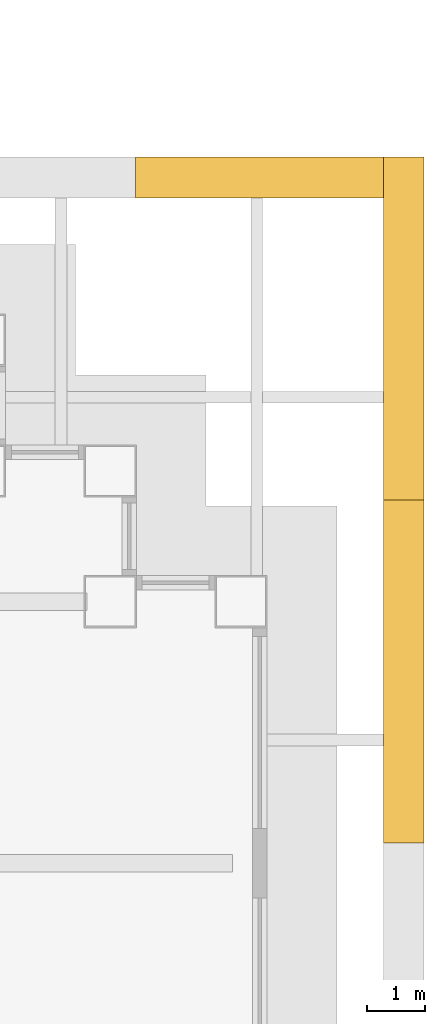
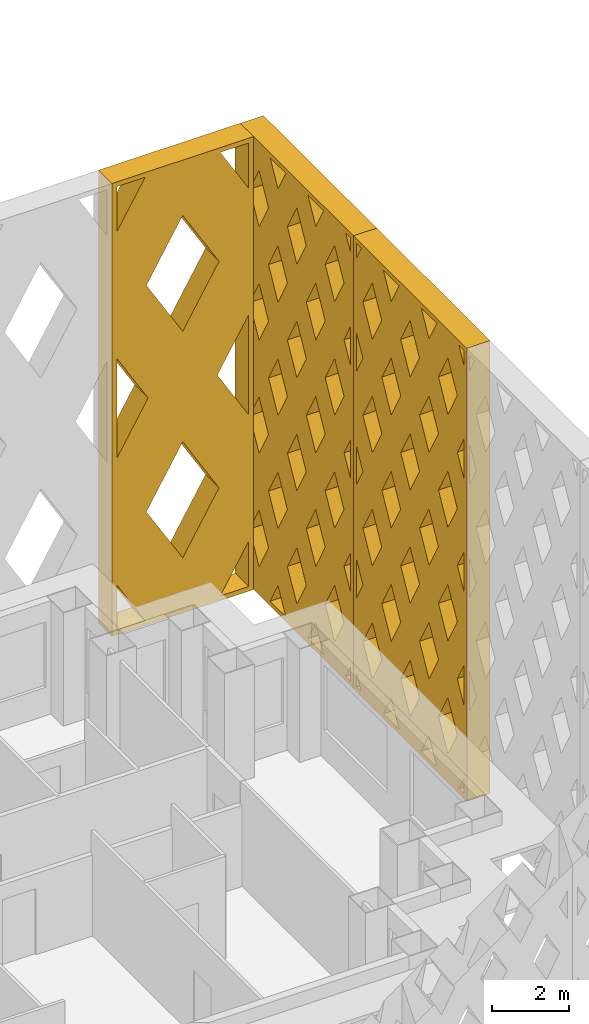
# One storey, part 21 of 21: 3 shading devices.
"""IFC4 building model written with IfcOpenShell, lengths in metres."""

from ifc_helpers import new_model, si_unit, direction, frame, origin, place, context, subcontext, project, spatial, polyline, outline, extrude, material, type_object, element, save


model = new_model("IFC4")

# Units and contexts
model_context = context("Model", 3, precision=1e-05, world=origin(), true_north=direction((0.0, 1.0)))
body_context = subcontext(model_context, "Body", "Model", "MODEL_VIEW")
ifc_project = project(units=[si_unit("LENGTHUNIT", "METRE"), si_unit("AREAUNIT", "SQUARE_METRE"), si_unit("VOLUMEUNIT", "CUBIC_METRE"), si_unit("PLANEANGLEUNIT", "RADIAN"), si_unit("MASSUNIT", "GRAM", prefix="KILO")], contexts=[model_context])

# Site, building, storey
site_placement = place(None, origin())
site = spatial("IfcSite", under=ifc_project, at=site_placement, CompositionType="ELEMENT")
building_placement = place(site_placement, origin())
building = spatial("IfcBuilding", under=site, at=building_placement, Name="Caravel Reach Hotel and Residences", CompositionType="ELEMENT")
storey_placement = place(building_placement, frame((0.0, 0.0, 100.800048828125)))
storey = spatial("IfcBuildingStorey", under=building, at=storey_placement, Name="L24", CompositionType="ELEMENT", Elevation=100.800048828125)

# Shading devices
ifc_material_1 = material(Name="Black powder-coated aluminium", Category="aluminium")
shading_device_type_1 = type_object("IfcShadingDeviceType", Name="Diamond lattice screen panel 4267 x 14400", PredefinedType="USERDEFINED", material=ifc_material_1)
shading_device_1_placement = place(storey_placement, frame((65.449951171875, 38.449951171875, 0.0), z_axis=(0.0, 1.0, 0.0), x_axis=(-1.0, 0.0, 0.0)))
element("IfcShadingDevice", 1, at=shading_device_1_placement, inside=storey, type_object=shading_device_type_1, Name="Lattice screen L24-L27 8.1", ObjectType="SCREEN", PredefinedType="USERDEFINED", context=body_context, shape_type="SweptSolid", body=[
    extrude(outline(polyline([(0.0, 0.0), (4.2666015625, 0.0), (4.2666015625, 14.39990234375), (0.0, 14.39990234375), (0.0, 0.0)]), holes=[polyline([(1.003662109375, 0.14990234375), (0.14990234375, 1.590576171875), (0.14990234375, 0.14990234375), (1.003662109375, 0.14990234375)]), polyline([(1.092529296875, 7.199951171875), (0.14990234375, 8.790771484375), (0.14990234375, 5.609375), (1.092529296875, 7.199951171875)]), polyline([(0.14990234375, 12.809326171875), (1.003662109375, 14.25), (0.14990234375, 14.25), (0.14990234375, 12.809326171875)]), polyline([(2.13330078125, 5.44384765625), (1.040771484375, 3.60009765625), (2.13330078125, 1.756103515625), (3.225830078125, 3.60009765625), (2.13330078125, 5.44384765625)]), polyline([(2.13330078125, 12.643798828125), (1.040771484375, 10.800048828125), (2.13330078125, 8.956298828125), (3.225830078125, 10.800048828125), (2.13330078125, 12.643798828125)]), polyline([(4.11669921875, 1.590576171875), (3.262939453125, 0.14990234375), (4.11669921875, 0.14990234375), (4.11669921875, 1.590576171875)]), polyline([(3.174072265625, 7.199951171875), (4.11669921875, 5.609375), (4.11669921875, 8.790771484375), (3.174072265625, 7.199951171875)]), polyline([(3.262939453125, 14.25), (4.11669921875, 12.809326171875), (4.11669921875, 14.25), (3.262939453125, 14.25)])]), origin(), (0.0, 0.0, 1.0), 0.699951171875),
])
ifc_material_2 = material(Name="Black powder-coated aluminium", Category="aluminium")
shading_device_type_2 = type_object("IfcShadingDeviceType", Name="Diamond lattice screen panel 5900 x 14400", PredefinedType="USERDEFINED", material=ifc_material_2)
shading_device_2_placement = place(storey_placement, frame((65.449951171875, 27.35009765625, 0.0), z_axis=(1.0, 0.0, 0.0), x_axis=(0.0, 1.0, 0.0)))
element("IfcShadingDevice", 2, at=shading_device_2_placement, inside=storey, type_object=shading_device_type_2, Name="Lattice screen L24-L27 7.3", ObjectType="SCREEN", PredefinedType="USERDEFINED", context=body_context, shape_type="SweptSolid", body=[
    extrude(outline(polyline([(0.0, 0.0), (5.89990234375, 0.0), (5.89990234375, 14.39990234375), (0.0, 14.39990234375), (0.0, 0.0)]), holes=[polyline([(0.40966796875, 0.14990234375), (0.14990234375, 0.62548828125), (0.14990234375, 0.14990234375), (0.40966796875, 0.14990234375)]), polyline([(0.49169921875, 3.60009765625), (0.14990234375, 4.2255859375), (0.14990234375, 2.974609375), (0.49169921875, 3.60009765625)]), polyline([(0.49169921875, 7.199951171875), (0.14990234375, 7.825439453125), (0.14990234375, 6.574462890625), (0.49169921875, 7.199951171875)]), polyline([(0.49169921875, 10.800048828125), (0.14990234375, 11.425537109375), (0.14990234375, 10.174560546875), (0.49169921875, 10.800048828125)]), polyline([(0.14990234375, 13.7744140625), (0.40966796875, 14.25), (0.14990234375, 14.25), (0.14990234375, 13.7744140625)]), polyline([(0.9833984375, 2.699951171875), (0.49169921875, 1.800048828125), (0.9833984375, 0.89990234375), (1.47509765625, 1.800048828125), (0.9833984375, 2.699951171875)]), polyline([(0.9833984375, 6.300048828125), (0.49169921875, 5.39990234375), (0.9833984375, 4.5), (1.47509765625, 5.39990234375), (0.9833984375, 6.300048828125)]), polyline([(0.9833984375, 9.900146484375), (0.49169921875, 9.0), (0.9833984375, 8.099853515625), (1.47509765625, 9.0), (0.9833984375, 9.900146484375)]), polyline([(0.9833984375, 13.5), (0.49169921875, 12.60009765625), (0.9833984375, 11.699951171875), (1.47509765625, 12.60009765625), (0.9833984375, 13.5)]), polyline([(1.966552734375, 0.900146484375), (1.556884765625, 0.14990234375), (2.37646484375, 0.14990234375), (1.966552734375, 0.900146484375)]), polyline([(1.966552734375, 4.5), (1.474853515625, 3.60009765625), (1.966552734375, 2.699951171875), (2.458251953125, 3.60009765625), (1.966552734375, 4.5)]), polyline([(1.966552734375, 8.10009765625), (1.474853515625, 7.199951171875), (1.966552734375, 6.300048828125), (2.458251953125, 7.199951171875), (1.966552734375, 8.10009765625)]), polyline([(1.966552734375, 11.699951171875), (1.474853515625, 10.800048828125), (1.966552734375, 9.89990234375), (2.458251953125, 10.800048828125), (1.966552734375, 11.699951171875)]), polyline([(1.966552734375, 13.5), (2.37646484375, 14.25), (1.556884765625, 14.25), (1.966552734375, 13.5)]), polyline([(2.949951171875, 2.699951171875), (2.458251953125, 1.800048828125), (2.949951171875, 0.89990234375), (3.441650390625, 1.800048828125), (2.949951171875, 2.699951171875)]), polyline([(2.949951171875, 6.300048828125), (2.458251953125, 5.39990234375), (2.949951171875, 4.5), (3.441650390625, 5.39990234375), (2.949951171875, 6.300048828125)]), polyline([(2.949951171875, 9.900146484375), (2.458251953125, 9.0), (2.949951171875, 8.099853515625), (3.441650390625, 9.0), (2.949951171875, 9.900146484375)]), polyline([(2.949951171875, 13.5), (2.458251953125, 12.60009765625), (2.949951171875, 11.699951171875), (3.441650390625, 12.60009765625), (2.949951171875, 13.5)]), polyline([(3.933349609375, 0.900146484375), (3.523681640625, 0.14990234375), (4.343017578125, 0.14990234375), (3.933349609375, 0.900146484375)]), polyline([(3.933349609375, 4.5), (3.441650390625, 3.60009765625), (3.933349609375, 2.699951171875), (4.425048828125, 3.60009765625), (3.933349609375, 4.5)]), polyline([(3.933349609375, 8.10009765625), (3.441650390625, 7.199951171875), (3.933349609375, 6.300048828125), (4.425048828125, 7.199951171875), (3.933349609375, 8.10009765625)]), polyline([(3.933349609375, 11.699951171875), (3.441650390625, 10.800048828125), (3.933349609375, 9.89990234375), (4.425048828125, 10.800048828125), (3.933349609375, 11.699951171875)]), polyline([(3.933349609375, 13.5), (4.343017578125, 14.25), (3.523681640625, 14.25), (3.933349609375, 13.5)]), polyline([(4.916748046875, 2.699951171875), (4.425048828125, 1.800048828125), (4.916748046875, 0.89990234375), (5.408447265625, 1.800048828125), (4.916748046875, 2.699951171875)]), polyline([(4.916748046875, 6.300048828125), (4.425048828125, 5.39990234375), (4.916748046875, 4.5), (5.408447265625, 5.39990234375), (4.916748046875, 6.300048828125)]), polyline([(4.916748046875, 9.900146484375), (4.425048828125, 9.0), (4.916748046875, 8.099853515625), (5.408447265625, 9.0), (4.916748046875, 9.900146484375)]), polyline([(4.916748046875, 13.5), (4.425048828125, 12.60009765625), (4.916748046875, 11.699951171875), (5.408447265625, 12.60009765625), (4.916748046875, 13.5)]), polyline([(5.75, 0.62548828125), (5.490234375, 0.14990234375), (5.75, 0.14990234375), (5.75, 0.62548828125)]), polyline([(5.408203125, 3.60009765625), (5.75, 2.974609375), (5.75, 4.2255859375), (5.408203125, 3.60009765625)]), polyline([(5.408203125, 7.199951171875), (5.75, 6.574462890625), (5.75, 7.825439453125), (5.408203125, 7.199951171875)]), polyline([(5.408203125, 10.800048828125), (5.75, 10.174560546875), (5.75, 11.425537109375), (5.408203125, 10.800048828125)]), polyline([(5.490234375, 14.25), (5.75, 13.7744140625), (5.75, 14.25), (5.490234375, 14.25)])]), origin(), (0.0, 0.0, 1.0), 0.699951171875),
])
shading_device_3_placement = place(storey_placement, frame((65.449951171875, 33.25, 0.0), z_axis=(1.0, 0.0, 0.0), x_axis=(0.0, 1.0, 0.0)))
element("IfcShadingDevice", 3, at=shading_device_3_placement, inside=storey, type_object=shading_device_type_2, Name="Lattice screen L24-L27 7.4", ObjectType="SCREEN", PredefinedType="USERDEFINED", context=body_context, shape_type="SweptSolid", body=[
    extrude(outline(polyline([(0.0, 0.0), (5.89990234375, 0.0), (5.89990234375, 14.39990234375), (0.0, 14.39990234375), (0.0, 0.0)]), holes=[polyline([(0.40966796875, 0.14990234375), (0.14990234375, 0.62548828125), (0.14990234375, 0.14990234375), (0.40966796875, 0.14990234375)]), polyline([(0.49169921875, 3.60009765625), (0.14990234375, 4.2255859375), (0.14990234375, 2.974609375), (0.49169921875, 3.60009765625)]), polyline([(0.49169921875, 7.199951171875), (0.14990234375, 7.825439453125), (0.14990234375, 6.574462890625), (0.49169921875, 7.199951171875)]), polyline([(0.49169921875, 10.800048828125), (0.14990234375, 11.425537109375), (0.14990234375, 10.174560546875), (0.49169921875, 10.800048828125)]), polyline([(0.14990234375, 13.7744140625), (0.40966796875, 14.25), (0.14990234375, 14.25), (0.14990234375, 13.7744140625)]), polyline([(0.9833984375, 2.699951171875), (0.49169921875, 1.800048828125), (0.9833984375, 0.89990234375), (1.47509765625, 1.800048828125), (0.9833984375, 2.699951171875)]), polyline([(0.9833984375, 6.300048828125), (0.49169921875, 5.39990234375), (0.9833984375, 4.5), (1.47509765625, 5.39990234375), (0.9833984375, 6.300048828125)]), polyline([(0.9833984375, 9.900146484375), (0.49169921875, 9.0), (0.9833984375, 8.099853515625), (1.47509765625, 9.0), (0.9833984375, 9.900146484375)]), polyline([(0.9833984375, 13.5), (0.49169921875, 12.60009765625), (0.9833984375, 11.699951171875), (1.47509765625, 12.60009765625), (0.9833984375, 13.5)]), polyline([(1.966552734375, 0.900146484375), (1.556884765625, 0.14990234375), (2.37646484375, 0.14990234375), (1.966552734375, 0.900146484375)]), polyline([(1.966552734375, 4.5), (1.474853515625, 3.60009765625), (1.966552734375, 2.699951171875), (2.458251953125, 3.60009765625), (1.966552734375, 4.5)]), polyline([(1.966552734375, 8.10009765625), (1.474853515625, 7.199951171875), (1.966552734375, 6.300048828125), (2.458251953125, 7.199951171875), (1.966552734375, 8.10009765625)]), polyline([(1.966552734375, 11.699951171875), (1.474853515625, 10.800048828125), (1.966552734375, 9.89990234375), (2.458251953125, 10.800048828125), (1.966552734375, 11.699951171875)]), polyline([(1.966552734375, 13.5), (2.37646484375, 14.25), (1.556884765625, 14.25), (1.966552734375, 13.5)]), polyline([(2.949951171875, 2.699951171875), (2.458251953125, 1.800048828125), (2.949951171875, 0.89990234375), (3.441650390625, 1.800048828125), (2.949951171875, 2.699951171875)]), polyline([(2.949951171875, 6.300048828125), (2.458251953125, 5.39990234375), (2.949951171875, 4.5), (3.441650390625, 5.39990234375), (2.949951171875, 6.300048828125)]), polyline([(2.949951171875, 9.900146484375), (2.458251953125, 9.0), (2.949951171875, 8.099853515625), (3.441650390625, 9.0), (2.949951171875, 9.900146484375)]), polyline([(2.949951171875, 13.5), (2.458251953125, 12.60009765625), (2.949951171875, 11.699951171875), (3.441650390625, 12.60009765625), (2.949951171875, 13.5)]), polyline([(3.933349609375, 0.900146484375), (3.523681640625, 0.14990234375), (4.343017578125, 0.14990234375), (3.933349609375, 0.900146484375)]), polyline([(3.933349609375, 4.5), (3.441650390625, 3.60009765625), (3.933349609375, 2.699951171875), (4.425048828125, 3.60009765625), (3.933349609375, 4.5)]), polyline([(3.933349609375, 8.10009765625), (3.441650390625, 7.199951171875), (3.933349609375, 6.300048828125), (4.425048828125, 7.199951171875), (3.933349609375, 8.10009765625)]), polyline([(3.933349609375, 11.699951171875), (3.441650390625, 10.800048828125), (3.933349609375, 9.89990234375), (4.425048828125, 10.800048828125), (3.933349609375, 11.699951171875)]), polyline([(3.933349609375, 13.5), (4.343017578125, 14.25), (3.523681640625, 14.25), (3.933349609375, 13.5)]), polyline([(4.916748046875, 2.699951171875), (4.425048828125, 1.800048828125), (4.916748046875, 0.89990234375), (5.408447265625, 1.800048828125), (4.916748046875, 2.699951171875)]), polyline([(4.916748046875, 6.300048828125), (4.425048828125, 5.39990234375), (4.916748046875, 4.5), (5.408447265625, 5.39990234375), (4.916748046875, 6.300048828125)]), polyline([(4.916748046875, 9.900146484375), (4.425048828125, 9.0), (4.916748046875, 8.099853515625), (5.408447265625, 9.0), (4.916748046875, 9.900146484375)]), polyline([(4.916748046875, 13.5), (4.425048828125, 12.60009765625), (4.916748046875, 11.699951171875), (5.408447265625, 12.60009765625), (4.916748046875, 13.5)]), polyline([(5.75, 0.62548828125), (5.490234375, 0.14990234375), (5.75, 0.14990234375), (5.75, 0.62548828125)]), polyline([(5.408203125, 3.60009765625), (5.75, 2.974609375), (5.75, 4.2255859375), (5.408203125, 3.60009765625)]), polyline([(5.408203125, 7.199951171875), (5.75, 6.574462890625), (5.75, 7.825439453125), (5.408203125, 7.199951171875)]), polyline([(5.408203125, 10.800048828125), (5.75, 10.174560546875), (5.75, 11.425537109375), (5.408203125, 10.800048828125)]), polyline([(5.490234375, 14.25), (5.75, 13.7744140625), (5.75, 14.25), (5.490234375, 14.25)])]), origin(), (0.0, 0.0, 1.0), 0.699951171875),
])

save(model, "model.ifc")
